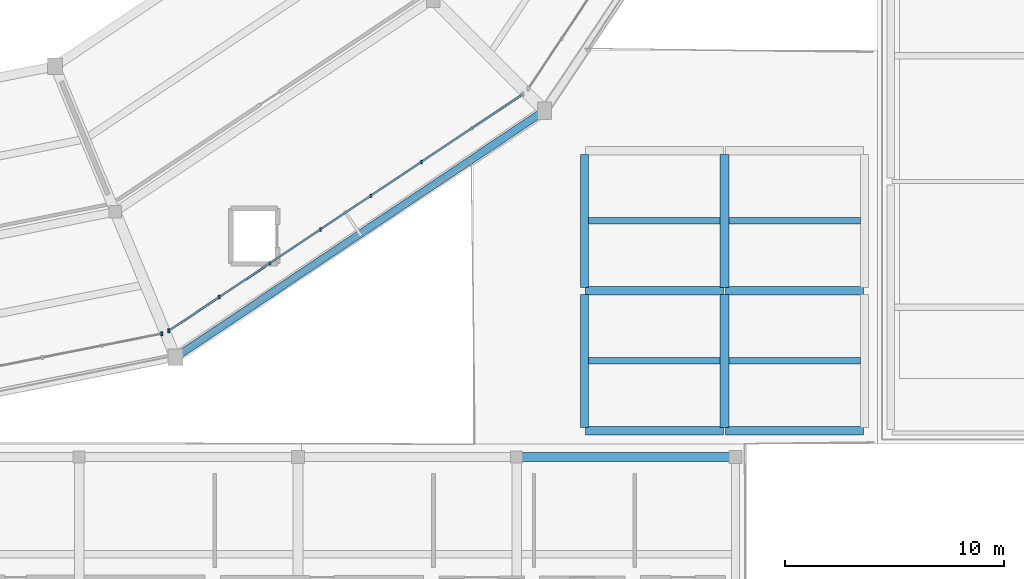
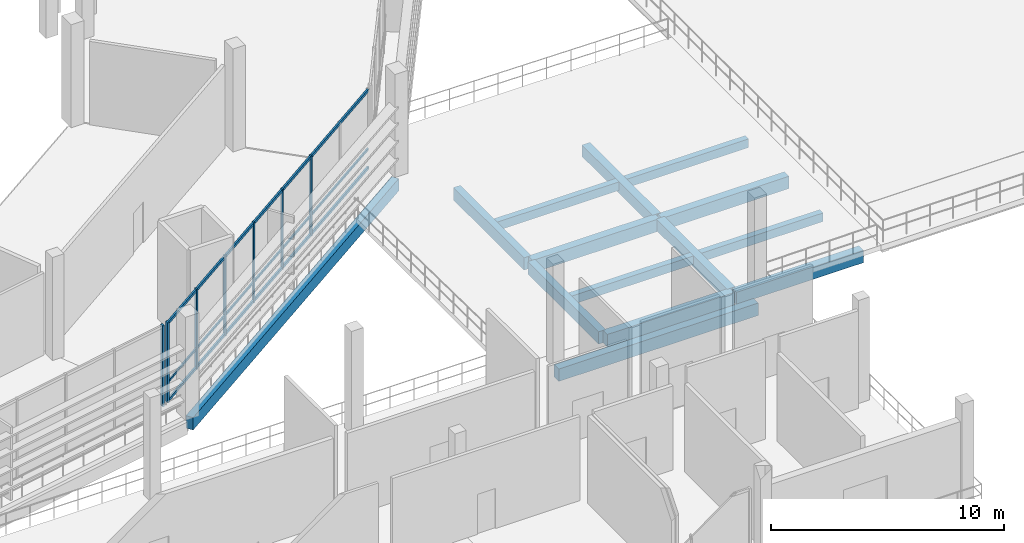
# One storey, part 34 of 111: 14 beams, 10 members, 2 elements without a shape of their own.
"""IFC4 building model written with IfcOpenShell, lengths in metres."""

from ifc_helpers import new_model, si_unit, direction, frame, origin, origin_2d, place, context, subcontext, project, spatial, rectangle, extrude, material, material_profile, profile_set, type_object, element, aggregate, save


model = new_model("IFC4")

# Units and contexts
model_context = context("Model", 3, precision=1e-05, world=origin(), true_north=direction((0.0, 1.0)))
body_context = subcontext(model_context, "Body", "Model", "MODEL_VIEW")
ifc_project = project(units=[si_unit("LENGTHUNIT", "METRE"), si_unit("AREAUNIT", "SQUARE_METRE"), si_unit("VOLUMEUNIT", "CUBIC_METRE"), si_unit("PLANEANGLEUNIT", "RADIAN"), si_unit("MASSUNIT", "GRAM", prefix="KILO")], contexts=[model_context])

# Site, building, storey
site_placement = place(None, origin())
site = spatial("IfcSite", under=ifc_project, at=site_placement, CompositionType="ELEMENT")
building_placement = place(site_placement, origin())
building = spatial("IfcBuilding", under=site, at=building_placement, Name="Candeia Ridge Stadium", CompositionType="ELEMENT")
storey_placement = place(building_placement, frame((0.0, 0.0, 16.199951171875)))
storey = spatial("IfcBuildingStorey", under=building, at=storey_placement, Name="L03", CompositionType="ELEMENT", Elevation=16.199951171875)

# Curtain wall, member
ifc_material_1 = material(Name="Aluminium Anodized Warm Bronze", Category="aluminium")
curtain_wall_type = type_object("IfcCurtainWallType", Name="Concourse Recessed Unitised Curtain Wall", PredefinedType="NOTDEFINED", material=ifc_material_1)
curtain_wall_1_placement = place(storey_placement, origin())
curtain_wall_1 = element("IfcCurtainWall", 1, at=curtain_wall_1_placement, inside=storey, type_object=curtain_wall_type, Name="Unitised curtain wall CW-BWL-L03-25", PredefinedType="NOTDEFINED")
ifc_material_profile_1 = material_profile(ifc_material_1, rectangle(XDim=0.090087890625, YDim=0.179931640625, at=origin_2d()), Name="CWM-90x180", Category="aluminium")
ifc_profile_set_1 = profile_set([ifc_material_profile_1], Name="Aluminium Anodized Warm Bronze")
member_type_1 = type_object("IfcMemberType", Name="Curtain Wall Primary Mullion 90x180", PredefinedType="MULLION", material=ifc_profile_set_1)
member_1_placement = place(storey_placement, frame((160.263916015625, 24.03173828125, 0.0), z_axis=(0.0, 0.0, 1.0), x_axis=(1.0, 0.0, 0.0)))
member_1 = element("IfcMember", 2, at=member_1_placement, type_object=member_type_1, Name="Curtain wall mullion CW-BWL-L03-25-M7", PredefinedType="MULLION", context=body_context, shape_type="SweptSolid", body=[
    extrude(rectangle(XDim=0.090087890625, YDim=0.179931640625, at=origin_2d()), origin(), (0.0, 0.0, 1.0), 4.2451171875),
])
aggregate(curtain_wall_1, [member_1])

# Curtain wall, members
curtain_wall_2_placement = place(storey_placement, origin())
curtain_wall_2 = element("IfcCurtainWall", 3, at=curtain_wall_2_placement, inside=storey, type_object=curtain_wall_type, Name="Unitised curtain wall CW-BWL-L03-26", PredefinedType="NOTDEFINED")
member_2_placement = place(storey_placement, frame((160.590087890625, 24.1669921875, 0.0), z_axis=(0.0, 0.0, 1.0), x_axis=(1.0, 0.0, 0.0)))
member_2 = element("IfcMember", 4, at=member_2_placement, type_object=member_type_1, Name="Curtain wall mullion CW-BWL-L03-26-M0", PredefinedType="MULLION", context=body_context, shape_type="SweptSolid", body=[
    extrude(rectangle(XDim=0.090087890625, YDim=0.179931640625, at=origin_2d()), origin(), (0.0, 0.0, 1.0), 4.205078125),
])
ifc_material_profile_2 = material_profile(ifc_material_1, rectangle(XDim=0.074951171875, YDim=0.14990234375, at=origin_2d()), Name="CWM-75x150", Category="aluminium")
ifc_profile_set_2 = profile_set([ifc_material_profile_2], Name="Aluminium Anodized Warm Bronze")
member_type_2 = type_object("IfcMemberType", Name="Curtain Wall Secondary Mullion 75x150", PredefinedType="MULLION", material=ifc_profile_set_2)
member_3_placement = place(storey_placement, frame((162.901611328125, 25.71142578125, 0.0), z_axis=(0.0, 0.0, 1.0), x_axis=(1.0, 0.0, 0.0)))
member_3 = element("IfcMember", 5, at=member_3_placement, type_object=member_type_2, Name="Curtain wall mullion CW-BWL-L03-26-M1", PredefinedType="MULLION", context=body_context, shape_type="SweptSolid", body=[
    extrude(rectangle(XDim=0.074951171875, YDim=0.14990234375, at=origin_2d()), origin(), (0.0, 0.0, 1.0), 4.205078125),
])
member_4_placement = place(storey_placement, frame((165.21337890625, 27.256103515625, 0.0), z_axis=(0.0, 0.0, 1.0), x_axis=(1.0, 0.0, 0.0)))
member_4 = element("IfcMember", 6, at=member_4_placement, type_object=member_type_2, Name="Curtain wall mullion CW-BWL-L03-26-M2", PredefinedType="MULLION", context=body_context, shape_type="SweptSolid", body=[
    extrude(rectangle(XDim=0.074951171875, YDim=0.14990234375, at=origin_2d()), origin(), (0.0, 0.0, 1.0), 4.205078125),
])
member_5_placement = place(storey_placement, frame((167.52490234375, 28.80078125, 0.0), z_axis=(0.0, 0.0, 1.0), x_axis=(1.0, 0.0, 0.0)))
member_5 = element("IfcMember", 7, at=member_5_placement, type_object=member_type_2, Name="Curtain wall mullion CW-BWL-L03-26-M3", PredefinedType="MULLION", context=body_context, shape_type="SweptSolid", body=[
    extrude(rectangle(XDim=0.074951171875, YDim=0.14990234375, at=origin_2d()), origin(), (0.0, 0.0, 1.0), 4.205078125),
])
member_6_placement = place(storey_placement, frame((169.83642578125, 30.34521484375, 0.0), z_axis=(0.0, 0.0, 1.0), x_axis=(1.0, 0.0, 0.0)))
member_6 = element("IfcMember", 8, at=member_6_placement, type_object=member_type_2, Name="Curtain wall mullion CW-BWL-L03-26-M4", PredefinedType="MULLION", context=body_context, shape_type="SweptSolid", body=[
    extrude(rectangle(XDim=0.074951171875, YDim=0.14990234375, at=origin_2d()), origin(), (0.0, 0.0, 1.0), 4.205078125),
])
member_7_placement = place(storey_placement, frame((172.148193359375, 31.889892578125, 0.0), z_axis=(0.0, 0.0, 1.0), x_axis=(1.0, 0.0, 0.0)))
member_7 = element("IfcMember", 9, at=member_7_placement, type_object=member_type_2, Name="Curtain wall mullion CW-BWL-L03-26-M5", PredefinedType="MULLION", context=body_context, shape_type="SweptSolid", body=[
    extrude(rectangle(XDim=0.074951171875, YDim=0.14990234375, at=origin_2d()), origin(), (0.0, 0.0, 1.0), 4.205078125),
])
ifc_material_profile_3 = material_profile(ifc_material_1, rectangle(XDim=0.074951171875, YDim=0.110107421875, at=origin_2d()), Name="CWT-75x110", Category="aluminium")
ifc_profile_set_3 = profile_set([ifc_material_profile_3], Name="Aluminium Anodized Warm Bronze")
member_type_3 = type_object("IfcMemberType", Name="Curtain Wall Secondary Transom 75x110", PredefinedType="USERDEFINED", material=ifc_profile_set_3)
member_8_placement = place(storey_placement, frame((160.590087890625, 24.1669921875, 1.05126953125), z_axis=(0.831470840517, 0.555568394863, 0.0), x_axis=(-0.555568394863, 0.831470840517, 0.0)))
member_8 = element("IfcMember", 10, at=member_8_placement, type_object=member_type_3, Name="Curtain wall transom CW-BWL-L03-26-T1", ObjectType="TRANSOM", PredefinedType="USERDEFINED", context=body_context, shape_type="SweptSolid", body=[
    extrude(rectangle(XDim=0.074951171875, YDim=0.110107421875, at=origin_2d()), origin(), (0.0, 0.0, 1.0), 19.461181640625),
])
ifc_material_profile_4 = material_profile(ifc_material_1, rectangle(XDim=0.090087890625, YDim=0.139892578125, at=origin_2d()), Name="CWT-90x140", Category="aluminium")
ifc_profile_set_4 = profile_set([ifc_material_profile_4], Name="Aluminium Anodized Warm Bronze")
member_type_4 = type_object("IfcMemberType", Name="Curtain Wall Transom 90x140", PredefinedType="USERDEFINED", material=ifc_profile_set_4)
member_9_placement = place(storey_placement, frame((160.590087890625, 24.1669921875, 0.070068359375), z_axis=(0.831470840517, 0.555568394863, 0.0), x_axis=(-0.555568394863, 0.831470840517, 0.0)))
member_9 = element("IfcMember", 11, at=member_9_placement, type_object=member_type_4, Name="Curtain wall transom CW-BWL-L03-26-T0", ObjectType="TRANSOM", PredefinedType="USERDEFINED", context=body_context, shape_type="SweptSolid", body=[
    extrude(rectangle(XDim=0.090087890625, YDim=0.139892578125, at=origin_2d()), origin(), (0.0, 0.0, 1.0), 19.461181640625),
])
member_10_placement = place(storey_placement, frame((160.590087890625, 24.1669921875, 4.135009765625), z_axis=(0.831470840517, 0.555568394863, 0.0), x_axis=(-0.555568394863, 0.831470840517, 0.0)))
member_10 = element("IfcMember", 12, at=member_10_placement, type_object=member_type_4, Name="Curtain wall transom CW-BWL-L03-26-T2", ObjectType="TRANSOM", PredefinedType="USERDEFINED", context=body_context, shape_type="SweptSolid", body=[
    extrude(rectangle(XDim=0.090087890625, YDim=0.139892578125, at=origin_2d()), origin(), (0.0, 0.0, 1.0), 19.461181640625),
])
aggregate(curtain_wall_2, [member_2, member_3, member_4, member_5, member_6, member_7, member_9, member_8, member_10])

# Beams
ifc_material_2 = material(Name="Concrete C40/50", Category="concrete")
ifc_material_profile_5 = material_profile(ifc_material_2, rectangle(XDim=0.300048828125, YDim=0.449951171875, at=origin_2d()), Name="RC300x450", Category="concrete")
ifc_profile_set_5 = profile_set([ifc_material_profile_5], Name="Concrete C40/50")
beam_type_1 = type_object("IfcBeamType", Name="Floor Joist RC300x450", PredefinedType="JOIST", material=ifc_profile_set_5)
for number, where, z_axis, x_axis, name in (
    (13, (179.7744140625, 22.800048828125, -0.474853515625), (1.0, 0.0, 0.0), (0.0, 1.0, 0.0), "Wing secondary joist BM-L03-2423"),
    (14, (179.7744140625, 29.199951171875, -0.474853515625), (1.0, 0.0, 0.0), (0.0, 1.0, 0.0), "Wing secondary joist BM-L03-2425"),
    (15, (186.199462890625, 22.800048828125, -0.474853515625), (1.0, 0.0, 0.0), (0.0, 1.0, 0.0), "Wing secondary joist BM-L03-2428"),
    (16, (186.199462890625, 29.199951171875, -0.474853515625), (1.0, 0.0, 0.0), (0.0, 1.0, 0.0), "Wing secondary joist BM-L03-2430"),
):
    element("IfcBeam", number, at=place(storey_placement, frame(where, z_axis=z_axis, x_axis=x_axis)), inside=storey, type_object=beam_type_1, Name=name, PredefinedType="JOIST", context=body_context, shape_type="SweptSolid", body=[
        extrude(rectangle(XDim=0.300048828125, YDim=0.449951171875, at=origin_2d()), origin(), (0.0, 0.0, 1.0), 6.026123046875),
    ])
ifc_material_profile_6 = material_profile(ifc_material_2, rectangle(XDim=0.39990234375, YDim=0.60009765625, at=origin_2d()), Name="RC400x600", Category="concrete")
ifc_profile_set_6 = profile_set([ifc_material_profile_6], Name="Concrete C40/50")
beam_type_2 = type_object("IfcBeamType", Name="Frame Girder RC400x600", PredefinedType="BEAM", material=ifc_profile_set_6)
for number, where, z_axis, x_axis, name in (
    (17, (186.0, 19.760009765625, -0.550048828125), (0.0, 1.0, 0.0), (-1.0, 0.0, 0.0), "Structural girder BM-L03-2418"),
    (18, (186.0, 26.159912109375, -0.550048828125), (0.0, 1.0, 0.0), (-1.0, 0.0, 0.0), "Structural girder BM-L03-2419"),
):
    element("IfcBeam", number, at=place(storey_placement, frame(where, z_axis=z_axis, x_axis=x_axis)), inside=storey, type_object=beam_type_2, Name=name, PredefinedType="BEAM", context=body_context, shape_type="SweptSolid", body=[
        extrude(rectangle(XDim=0.39990234375, YDim=0.60009765625, at=origin_2d()), origin(), (0.0, 0.0, 1.0), 6.080078125),
    ])
ifc_material_profile_7 = material_profile(ifc_material_2, rectangle(XDim=0.35009765625, YDim=0.64990234375, at=origin_2d()), Name="RC350x650", Category="concrete")
ifc_profile_set_7 = profile_set([ifc_material_profile_7], Name="Concrete C40/50")
beam_type_3 = type_object("IfcBeamType", Name="Spandrel Beam RC350x650", PredefinedType="SPANDREL", material=ifc_profile_set_7)
beam_1_placement = place(storey_placement, frame((161.032470703125, 23.047119140625, -0.574951171875), z_axis=(0.831468647505, 0.555571676938, 0.0), x_axis=(-0.555571676938, 0.831468647505, 0.0)))
element("IfcBeam", 19, at=beam_1_placement, inside=storey, type_object=beam_type_3, Name="Bowl perimeter spandrel BM-L03-0675", PredefinedType="SPANDREL", context=body_context, shape_type="SweptSolid", body=[
    extrude(rectangle(XDim=0.35009765625, YDim=0.64990234375, at=origin_2d()), origin(), (0.0, 0.0, 1.0), 19.969482421875),
])
for number, where, z_axis, x_axis, name in (
    (20, (179.60009765625, 19.760009765625, -0.574951171875), (0.0, 1.0, 0.0), (-1.0, 0.0, 0.0), "Structural girder BM-L03-2416"),
    (21, (179.60009765625, 26.159912109375, -0.574951171875), (0.0, 1.0, 0.0), (-1.0, 0.0, 0.0), "Structural girder BM-L03-2417"),
):
    element("IfcBeam", number, at=place(storey_placement, frame(where, z_axis=z_axis, x_axis=x_axis)), inside=storey, type_object=beam_type_3, Name=name, PredefinedType="SPANDREL", context=body_context, shape_type="SweptSolid", body=[
        extrude(rectangle(XDim=0.35009765625, YDim=0.64990234375, at=origin_2d()), origin(), (0.0, 0.0, 1.0), 6.080078125),
    ])
ifc_material_profile_8 = material_profile(ifc_material_2, rectangle(XDim=0.39990234375, YDim=0.64990234375, at=origin_2d()), Name="RC400x650", Category="concrete")
ifc_profile_set_8 = profile_set([ifc_material_profile_8], Name="Concrete C40/50")
beam_type_4 = type_object("IfcBeamType", Name="Wing Primary Girder RC400x650", PredefinedType="BEAM", material=ifc_profile_set_8)
beam_2_placement = place(storey_placement, frame((176.550048828125, 18.39990234375, -0.574951171875), z_axis=(1.0, 0.0, 0.0), x_axis=(0.0, 1.0, 0.0)))
element("IfcBeam", 22, at=beam_2_placement, inside=storey, type_object=beam_type_4, Name="Structural girder BM-L03-2357", PredefinedType="BEAM", context=body_context, shape_type="SweptSolid", body=[
    extrude(rectangle(XDim=0.39990234375, YDim=0.64990234375, at=origin_2d()), origin(), (0.0, 0.0, 1.0), 9.89990234375),
])
for number, where, z_axis, x_axis, name in (
    (23, (179.64990234375, 19.60009765625, -0.574951171875), (1.0, 0.0, 0.0), (0.0, 1.0, 0.0), "Structural girder BM-L03-2422"),
    (24, (179.64990234375, 26.0, -0.574951171875), (1.0, 0.0, 0.0), (0.0, 1.0, 0.0), "Structural girder BM-L03-2424"),
    (25, (186.050048828125, 19.60009765625, -0.60498046875), (1.0, 0.0, 0.0), (0.0, 1.0, 0.0), "Structural girder BM-L03-2427"),
    (26, (186.050048828125, 26.0, -0.60498046875), (1.0, 0.0, 0.0), (0.0, 1.0, 0.0), "Structural girder BM-L03-2429"),
):
    element("IfcBeam", number, at=place(storey_placement, frame(where, z_axis=z_axis, x_axis=x_axis)), inside=storey, type_object=beam_type_4, Name=name, PredefinedType="BEAM", context=body_context, shape_type="SweptSolid", body=[
        extrude(rectangle(XDim=0.39990234375, YDim=0.64990234375, at=origin_2d()), origin(), (0.0, 0.0, 1.0), 6.300048828125),
    ])

save(model, "model.ifc")
